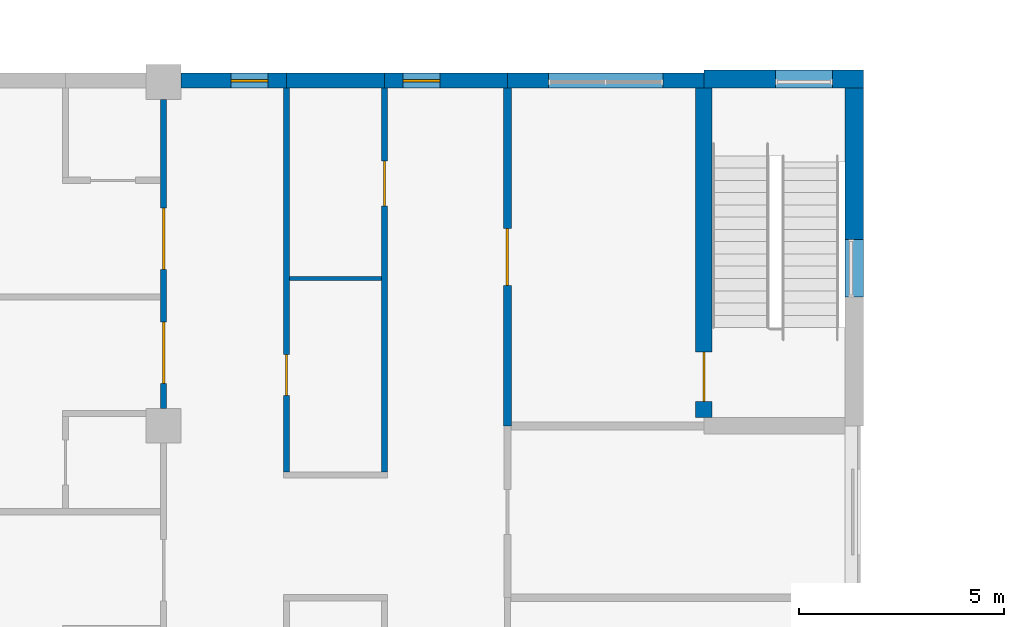
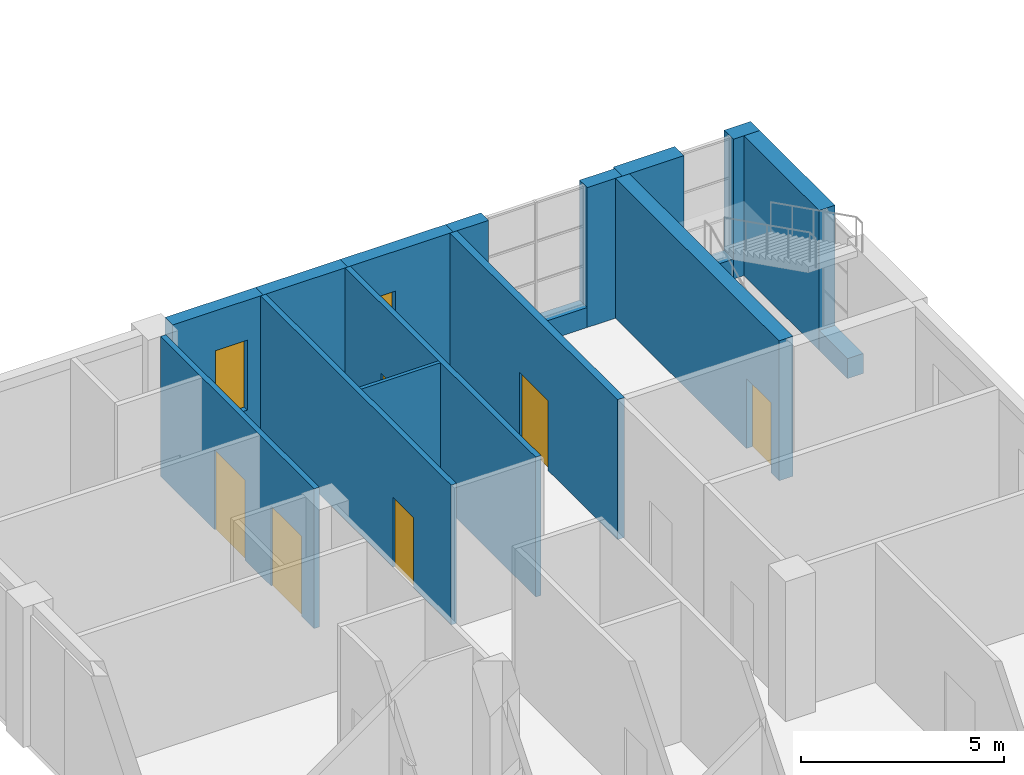
# One storey, part 45 of 66: 17 walls, 6 doors, 2 windows, 8 openings.
"""IFC4 building model written with IfcOpenShell, lengths in metres."""

import ifcopenshell
import ifcopenshell.guid

model = None  # the IFC model being written
_history = None  # IfcOwnerHistory: only IFC2X3 demands one
_inside = {}  # id of a spatial element -> (the spatial element, [elements in it])
_under = {}  # id of a project, library or spatial element -> (it, [spatial elements below it])
_declared = {}  # id of a project -> (the project, [libraries it declares])
_typed = {}  # id of a type object -> (the type object, [elements of that type])
_made_of = {}  # id of a material, layer set ... -> (it, [elements and type objects made of it])


def new_model(schema):
    """Start an empty IFC model of exactly this schema.

    Asked for "IFC4X3", IfcOpenShell would pick the latest addendum, in which some entities
    have other attributes; the version numbers below select the first issue.
    IFC2X3 requires an IfcOwnerHistory on every rooted entity: one is made here for all.
    """
    global model, _history
    if schema == "IFC4X3":
        model = ifcopenshell.file(schema_version=(4, 3, 0, 0))
    else:
        model = ifcopenshell.file(schema=schema)
    _inside.clear()
    _under.clear()
    _declared.clear()
    _typed.clear()
    _made_of.clear()
    _history = None
    if model.schema == "IFC2X3":
        org = make("IfcOrganization", Name="unknown")
        user = make(
            "IfcPersonAndOrganization",
            ThePerson=make("IfcPerson", FamilyName="unknown"),
            TheOrganization=org,
        )
        app = make(
            "IfcApplication",
            ApplicationDeveloper=org,
            Version="unknown",
            ApplicationFullName="unknown",
            ApplicationIdentifier="unknown",
        )
        _history = make(
            "IfcOwnerHistory",
            OwningUser=user,
            OwningApplication=app,
            ChangeAction="ADDED",
            CreationDate=0,
        )
    return model


def make(cls, **values):
    """One entity of the class cls with the attributes given. An attribute that is None is left unset."""
    return model.create_entity(
        cls, **{name: value for name, value in values.items() if value is not None}
    )


def rooted(cls, **values):
    """An entity with a GlobalId (a new one), such as an element, a storey or a relation."""
    return make(cls, GlobalId=ifcopenshell.guid.new(), OwnerHistory=_history, **values)


def si_unit(unit_type, name, prefix=None):
    """IfcSIUnit, for example si_unit("LENGTHUNIT", "METRE", prefix="MILLI")."""
    return make("IfcSIUnit", UnitType=unit_type, Prefix=prefix, Name=name)


def assignment(units):
    """IfcUnitAssignment: the units of a project."""
    return None if units is None else make("IfcUnitAssignment", Units=units)


def point(xyz):
    """IfcCartesianPoint."""
    return None if xyz is None else make("IfcCartesianPoint", Coordinates=xyz)


def direction(xyz):
    """IfcDirection."""
    return None if xyz is None else make("IfcDirection", DirectionRatios=xyz)


def frame(location, z_axis=None, x_axis=None):
    """IfcAxis2Placement3D, a coordinate frame: its origin and axes. An axis left out is left unset."""
    return make(
        "IfcAxis2Placement3D",
        Location=point(location),
        Axis=direction(z_axis),
        RefDirection=direction(x_axis),
    )


def frame_2d(location, x_axis=None):
    """IfcAxis2Placement2D, a coordinate frame in the plane: its origin and x axis."""
    return make(
        "IfcAxis2Placement2D", Location=point(location), RefDirection=direction(x_axis)
    )


def origin():
    """The frame at (0, 0, 0) with its axes left unset."""
    return frame((0.0, 0.0, 0.0))


def place(relative_to, where):
    """IfcLocalPlacement: puts the frame where relative to a parent placement (None: the world)."""
    return make(
        "IfcLocalPlacement", PlacementRelTo=relative_to, RelativePlacement=where
    )


def context(
    kind, dimensions, precision=None, world=None, true_north=None, identifier=None
):
    """IfcGeometricRepresentationContext, for example the 3D "Model" context."""
    return make(
        "IfcGeometricRepresentationContext",
        ContextIdentifier=identifier,
        ContextType=kind,
        CoordinateSpaceDimension=dimensions,
        Precision=precision,
        WorldCoordinateSystem=world,
        TrueNorth=true_north,
    )


def subcontext(parent, identifier, kind, view, scale=None):
    """IfcGeometricRepresentationSubContext, for example "Body" below "Model"."""
    return make(
        "IfcGeometricRepresentationSubContext",
        ContextIdentifier=identifier,
        ContextType=kind,
        ParentContext=parent,
        TargetScale=scale,
        TargetView=view,
    )


def project(units=None, contexts=None):
    """IfcProject with its units and contexts."""
    return rooted(
        "IfcProject",
        Name="project",
        RepresentationContexts=contexts,
        UnitsInContext=assignment(units),
    )


def spatial(cls, under=None, at=None, **own):
    """A site, building, storey or space (cls), placed at a placement, below another one or the project."""
    s = rooted(cls, ObjectPlacement=at, **own)
    if under is not None:
        _under.setdefault(under.id(), (under, []))[1].append(s)
    return s


def profile(cls, at=None, kind="AREA", **sizes):
    """A parametric profile (cls). Its sizes go by their IFC names, for example OverallWidth=200.0."""
    return make(cls, ProfileType=kind, Position=at, **sizes)


def rectangle(**sizes):
    """IfcRectangleProfileDef."""
    return profile("IfcRectangleProfileDef", **sizes)


def extrude(swept, where, along, depth):
    """IfcExtrudedAreaSolid: the profile swept, set in the frame where, extruded along a direction by depth."""
    return make(
        "IfcExtrudedAreaSolid",
        SweptArea=swept,
        Position=where,
        ExtrudedDirection=direction(along),
        Depth=depth,
    )


def shape(context_of_items, identifier, shape_type, items):
    """IfcShapeRepresentation: the items that make up one representation, for example the "Body"."""
    return make(
        "IfcShapeRepresentation",
        ContextOfItems=context_of_items,
        RepresentationIdentifier=identifier,
        RepresentationType=shape_type,
        Items=items,
    )


def material(Name=None, Category=None):
    """IfcMaterial."""
    return make("IfcMaterial", Name=Name, Category=Category)


def layer(
    of_material, thickness, ventilated=None, Name=None, Category=None, Priority=None
):
    """IfcMaterialLayer: one layer of a wall or slab, of a material (None: an air gap)."""
    return make(
        "IfcMaterialLayer",
        Material=of_material,
        LayerThickness=thickness,
        IsVentilated=ventilated,
        Name=Name,
        Category=Category,
        Priority=Priority,
    )


def layer_set(layers, Name=None):
    """IfcMaterialLayerSet."""
    return make("IfcMaterialLayerSet", MaterialLayers=layers, LayerSetName=Name)


def made_of(thing, what):
    """Note that an element or type object is made of a material, layer set ...; save() writes the relation."""
    if what is not None:
        _made_of.setdefault(what.id(), (what, []))[1].append(thing)
    return thing


def type_object(cls, material=None, **own):
    """A type object (cls), such as IfcWallType, which elements share."""
    return made_of(rooted(cls, **own), material)


def element(
    cls,
    number,
    at=None,
    inside=None,
    cuts=None,
    type_object=None,
    material=None,
    context=None,
    identifier="Body",
    shape_type=None,
    held_by="IfcProductDefinitionShape",
    body=None,
    shapes=None,
    **own,
):
    """One element of the class cls, such as IfcWall. Its Tag is "e" and its number.

    at: its placement. inside: the storey or other place that contains it. cuts: it is an
    opening in that element (IfcRelVoidsElement). A single representation is given by context,
    identifier, shape_type and body (its items); several are given by shapes. held_by: the class
    of the entity that holds the representations. save() writes the other relations.
    """
    e = rooted(cls, Tag="e%d" % number, ObjectPlacement=at, **own)
    if body is not None:
        shapes = [shape(context, identifier, shape_type, body)]
    if shapes is not None:
        e.Representation = make(held_by, Representations=shapes)
    if inside is not None:
        _inside.setdefault(inside.id(), (inside, []))[1].append(e)
    if cuts is not None:
        rooted(
            "IfcRelVoidsElement", RelatingBuildingElement=cuts, RelatedOpeningElement=e
        )
    if type_object is not None:
        _typed.setdefault(type_object.id(), (type_object, []))[1].append(e)
    return made_of(e, material)


def fill(opening, filler):
    """IfcRelFillsElement: the door or window that sits in an opening."""
    return rooted(
        "IfcRelFillsElement",
        RelatingOpeningElement=opening,
        RelatedBuildingElement=filler,
    )


def aggregate(whole, parts):
    """IfcRelAggregates: a whole, such as a stair, and the parts it consists of."""
    return rooted("IfcRelAggregates", RelatingObject=whole, RelatedObjects=parts)


def save(model, path):
    """Write the relations noted so far, then the file.

    IfcRelAggregates (storeys below a building ...), IfcRelContainedInSpatialStructure (elements
    in a storey), IfcRelDefinesByType, IfcRelAssociatesMaterial and IfcRelDeclares: one each for
    every whole, place, type object, material and project.
    """
    for whole, parts in _under.values():
        aggregate(whole, parts)
    for where, things in _inside.values():
        rooted(
            "IfcRelContainedInSpatialStructure",
            RelatedElements=things,
            RelatingStructure=where,
        )
    for kind, things in _typed.values():
        rooted("IfcRelDefinesByType", RelatedObjects=things, RelatingType=kind)
    for what, things in _made_of.values():
        rooted("IfcRelAssociatesMaterial", RelatedObjects=things, RelatingMaterial=what)
    for by, libraries in _declared.values():
        rooted("IfcRelDeclares", RelatingContext=by, RelatedDefinitions=libraries)
    model.write(path)


model = new_model("IFC4")

# Units and contexts
model_context = context("Model", 3, precision=1e-05, world=origin(), true_north=direction((0.0, 1.0)))
body_context = subcontext(model_context, "Body", "Model", "MODEL_VIEW")
ifc_project = project(units=[si_unit("LENGTHUNIT", "METRE"), si_unit("AREAUNIT", "SQUARE_METRE"), si_unit("VOLUMEUNIT", "CUBIC_METRE"), si_unit("PLANEANGLEUNIT", "RADIAN"), si_unit("MASSUNIT", "GRAM", prefix="KILO")], contexts=[model_context])

# Site, building, storey
site_placement = place(None, origin())
site = spatial("IfcSite", under=ifc_project, at=site_placement, CompositionType="ELEMENT")
building_placement = place(site_placement, origin())
building = spatial("IfcBuilding", under=site, at=building_placement, Name="Yavir Park General Hospital", CompositionType="ELEMENT")
storey_placement = place(building_placement, frame((0.0, 0.0, 8.39990234375)))
storey = spatial("IfcBuildingStorey", under=building, at=storey_placement, Name="L02", CompositionType="ELEMENT", Elevation=8.39990234375)

# Wall, opening, door
ifc_material_1 = material(Name="Double gypsum board fire partition on steel studs", Category="steel")
ifc_layer_1 = layer(ifc_material_1, 0.199951171875)
ifc_layer_set_1 = layer_set([ifc_layer_1], Name="Double gypsum board fire partition on steel studs")
wall_type_1 = type_object("IfcWallType", Name="Fire-rated partition 200, EI 60", PredefinedType="PARTITIONING", material=ifc_layer_set_1)
wall_1_placement = place(storey_placement, frame((16.800048828125, 109.199951171875, 0.0), z_axis=(0.0, 0.0, 1.0), x_axis=(0.0, 1.0, 0.0)))
wall_1 = element("IfcWall", 1, at=wall_1_placement, inside=storey, type_object=wall_type_1, Name="FP20 L02-206", PredefinedType="PARTITIONING", context=body_context, shape_type="SweptSolid", body=[
    extrude(rectangle(XDim=8.25, YDim=0.199951171875, at=frame_2d((4.125, 0.0))), origin(), (0.0, 0.0, 1.0), 4.2001953125),
])
opening_1_placement = place(wall_1_placement, frame((3.425048828125, 0.0, 0.0)))
opening_1 = element("IfcOpeningElement", 2, at=opening_1_placement, cuts=wall_1, Name="Opening L02.D166", PredefinedType="OPENING", context=body_context, shape_type="SweptSolid", body=[
    extrude(rectangle(XDim=1.39990234375, YDim=2.10009765625, at=frame_2d((0.699951171875, 1.050048828125))), frame((0.0, 0.10986328125, 0.0), z_axis=(0.0, -1.0, 0.0), x_axis=(1.0, 0.0, 0.0)), (0.0, 0.0, 1.0), 0.219970703125),
])
ifc_material_2 = material(Name="Steel frame, fire-resisting leaves with vision panels", Category="steel")
door_type_1 = type_object("IfcDoorType", Name="Double fire door with vision panels 1400 x 2100, EI 60", OperationType="DOUBLE_DOOR_SINGLE_SWING", PredefinedType="DOOR", material=ifc_material_2)
door_1_placement = place(opening_1_placement, origin())
door_1 = element("IfcDoor", 3, at=door_1_placement, inside=storey, type_object=door_type_1, Name="L02.D166", OperationType="SINGLE_SWING_LEFT", OverallHeight=2.10009765625, OverallWidth=1.39990234375, PredefinedType="DOOR", context=body_context, shape_type="SweptSolid", body=[
    extrude(rectangle(XDim=1.39990234375, YDim=2.10009765625, at=frame_2d((0.699951171875, 1.050048828125))), frame((0.0, 0.030029296875, 0.0), z_axis=(0.0, -1.0, 0.0), x_axis=(1.0, 0.0, 0.0)), (0.0, 0.0, 1.0), 0.06005859375),
])
fill(opening_1, door_1)

# Wall
ifc_material_3 = material(Name="Gypsum board partition on steel studs", Category="steel")
ifc_layer_2 = layer(ifc_material_3, 0.10009765625)
ifc_layer_set_2 = layer_set([ifc_layer_2], Name="Gypsum board partition on steel studs")
wall_type_2 = type_object("IfcWallType", Name="Gypsum board partition 100", PredefinedType="PARTITIONING", material=ifc_layer_set_2)
wall_2_placement = place(storey_placement, frame((11.47509765625, 112.800048828125, 0.0), z_axis=(0.0, 0.0, 1.0), x_axis=(1.0, 0.0, 0.0)))
element("IfcWall", 4, at=wall_2_placement, inside=storey, type_object=wall_type_2, Name="P10 L02-153", PredefinedType="PARTITIONING", context=body_context, shape_type="SweptSolid", body=[
    extrude(rectangle(XDim=2.25, YDim=0.10009765625, at=frame_2d((1.125, 0.0))), origin(), (0.0, 0.0, 1.0), 4.2001953125),
])

# Wall, openings, doors
ifc_material_4 = material(Name="Gypsum board partition on steel studs", Category="steel")
ifc_layer_3 = layer(ifc_material_4, 0.14990234375)
ifc_layer_set_3 = layer_set([ifc_layer_3], Name="Gypsum board partition on steel studs")
wall_type_3 = type_object("IfcWallType", Name="Gypsum board partition 150", PredefinedType="PARTITIONING", material=ifc_layer_set_3)
wall_3_placement = place(storey_placement, frame((8.39990234375, 109.625, 0.0), z_axis=(0.0, 0.0, 1.0), x_axis=(0.0, 1.0, 0.0)))
wall_3 = element("IfcWall", 5, at=wall_3_placement, inside=storey, type_object=wall_type_3, Name="P15 L02-177", PredefinedType="PARTITIONING", context=body_context, shape_type="SweptSolid", body=[
    extrude(rectangle(XDim=7.550048828125, YDim=0.14990234375, at=frame_2d((3.77490234375, 0.0))), origin(), (0.0, 0.0, 1.0), 4.2001953125),
])
opening_2_placement = place(wall_3_placement, frame((0.612548828125, 0.0, 0.0)))
opening_2 = element("IfcOpeningElement", 6, at=opening_2_placement, cuts=wall_3, Name="Opening L02.D129", PredefinedType="OPENING", context=body_context, shape_type="SweptSolid", body=[
    extrude(rectangle(XDim=1.5, YDim=2.39990234375, at=frame_2d((0.75, 1.199951171875))), frame((0.0, 0.0849609375, 0.0), z_axis=(0.0, -1.0, 0.0), x_axis=(1.0, 0.0, 0.0)), (0.0, 0.0, 1.0), 0.169921875),
])
opening_3_placement = place(wall_3_placement, frame((3.39990234375, 0.0, 0.0)))
opening_3 = element("IfcOpeningElement", 7, at=opening_3_placement, cuts=wall_3, Name="Opening L02.D130", PredefinedType="OPENING", context=body_context, shape_type="SweptSolid", body=[
    extrude(rectangle(XDim=1.5, YDim=2.39990234375, at=frame_2d((0.75, 1.199951171875))), frame((0.0, 0.0849609375, 0.0), z_axis=(0.0, -1.0, 0.0), x_axis=(1.0, 0.0, 0.0)), (0.0, 0.0, 1.0), 0.169921875),
])
ifc_material_5 = material(Name="Solid-core timber leaves, push plates, kick plates", Category="wood")
door_type_2 = type_object("IfcDoorType", Name="Bed door, unequal leaves 1500 x 2400", OperationType="DOUBLE_DOOR_SINGLE_SWING", PredefinedType="DOOR", material=ifc_material_5)
door_2_placement = place(opening_2_placement, origin())
door_2 = element("IfcDoor", 8, at=door_2_placement, inside=storey, type_object=door_type_2, Name="L02.D129", OperationType="SINGLE_SWING_LEFT", OverallHeight=2.39990234375, OverallWidth=1.5, PredefinedType="DOOR", context=body_context, shape_type="SweptSolid", body=[
    extrude(rectangle(XDim=1.5, YDim=2.39990234375, at=frame_2d((0.75, 1.199951171875))), frame((0.0, 0.030029296875, 0.0), z_axis=(0.0, -1.0, 0.0), x_axis=(1.0, 0.0, 0.0)), (0.0, 0.0, 1.0), 0.06005859375),
])
fill(opening_2, door_2)
door_3_placement = place(opening_3_placement, origin())
door_3 = element("IfcDoor", 9, at=door_3_placement, inside=storey, type_object=door_type_2, Name="L02.D130", OperationType="SINGLE_SWING_RIGHT", OverallHeight=2.39990234375, OverallWidth=1.5, PredefinedType="DOOR", context=body_context, shape_type="SweptSolid", body=[
    extrude(rectangle(XDim=1.5, YDim=2.39990234375, at=frame_2d((0.75, 1.199951171875))), frame((0.0, 0.030029296875, 0.0), z_axis=(0.0, -1.0, 0.0), x_axis=(1.0, 0.0, 0.0)), (0.0, 0.0, 1.0), 0.06005859375),
])
fill(opening_3, door_3)

# Wall, opening, door
wall_4_placement = place(storey_placement, frame((11.39990234375, 108.074951171875, 0.0), z_axis=(0.0, 0.0, 1.0), x_axis=(0.0, 1.0, 0.0)))
wall_4 = element("IfcWall", 10, at=wall_4_placement, inside=storey, type_object=wall_type_3, Name="P15 L02-184", PredefinedType="PARTITIONING", context=body_context, shape_type="SweptSolid", body=[
    extrude(rectangle(XDim=9.375, YDim=0.14990234375, at=frame_2d((4.6875, 0.0))), origin(), (0.0, 0.0, 1.0), 4.2001953125),
])
opening_4_placement = place(wall_4_placement, frame((1.862548828125, 0.0, 0.0)))
opening_4 = element("IfcOpeningElement", 11, at=opening_4_placement, cuts=wall_4, Name="Opening L02.D141", PredefinedType="OPENING", context=body_context, shape_type="SweptSolid", body=[
    extrude(rectangle(XDim=1.0, YDim=2.10009765625, at=frame_2d((0.5, 1.050048828125))), frame((0.0, 0.0849609375, 0.0), z_axis=(0.0, -1.0, 0.0), x_axis=(1.0, 0.0, 0.0)), (0.0, 0.0, 1.0), 0.169921875),
])
ifc_material_6 = material(Name="Hollow metal frame, solid-core timber leaf", Category="wood")
door_type_3 = type_object("IfcDoorType", Name="Single swing door 1000 x 2100", OperationType="SINGLE_SWING_LEFT", PredefinedType="DOOR", material=ifc_material_6)
door_4_placement = place(opening_4_placement, origin())
door_4 = element("IfcDoor", 12, at=door_4_placement, inside=storey, type_object=door_type_3, Name="L02.D141", OperationType="SINGLE_SWING_RIGHT", OverallHeight=2.10009765625, OverallWidth=1.0, PredefinedType="DOOR", context=body_context, shape_type="SweptSolid", body=[
    extrude(rectangle(XDim=1.0, YDim=2.10009765625, at=frame_2d((0.5, 1.050048828125))), frame((0.0, 0.02490234375, 0.0), z_axis=(0.0, -1.0, 0.0), x_axis=(1.0, 0.0, 0.0)), (0.0, 0.0, 1.0), 0.050048828125),
])
fill(opening_4, door_4)

wall_5_placement = place(storey_placement, frame((13.800048828125, 108.074951171875, 0.0), z_axis=(0.0, 0.0, 1.0), x_axis=(0.0, 1.0, 0.0)))
wall_5 = element("IfcWall", 13, at=wall_5_placement, inside=storey, type_object=wall_type_3, Name="P15 L02-191", PredefinedType="PARTITIONING", context=body_context, shape_type="SweptSolid", body=[
    extrude(rectangle(XDim=9.375, YDim=0.14990234375, at=frame_2d((4.6875, 0.0))), origin(), (0.0, 0.0, 1.0), 4.2001953125),
])
opening_5_placement = place(wall_5_placement, frame((6.5, 0.0, 0.0)))
opening_5 = element("IfcOpeningElement", 14, at=opening_5_placement, cuts=wall_5, Name="Opening L02.D152", PredefinedType="OPENING", context=body_context, shape_type="SweptSolid", body=[
    extrude(rectangle(XDim=1.10009765625, YDim=2.10009765625, at=frame_2d((0.550048828125, 1.050048828125))), frame((0.0, 0.0849609375, 0.0), z_axis=(0.0, -1.0, 0.0), x_axis=(1.0, 0.0, 0.0)), (0.0, 0.0, 1.0), 0.169921875),
])
ifc_material_7 = material(Name="Hollow metal frame, solid-core timber leaf", Category="wood")
door_type_4 = type_object("IfcDoorType", Name="Single swing door 1100 x 2100", OperationType="SINGLE_SWING_LEFT", PredefinedType="DOOR", material=ifc_material_7)
door_5_placement = place(opening_5_placement, origin())
door_5 = element("IfcDoor", 15, at=door_5_placement, inside=storey, type_object=door_type_4, Name="L02.D152", OperationType="SINGLE_SWING_RIGHT", OverallHeight=2.10009765625, OverallWidth=1.10009765625, PredefinedType="DOOR", context=body_context, shape_type="SweptSolid", body=[
    extrude(rectangle(XDim=1.10009765625, YDim=2.10009765625, at=frame_2d((0.550048828125, 1.050048828125))), frame((0.0, 0.02490234375, 0.0), z_axis=(0.0, -1.0, 0.0), x_axis=(1.0, 0.0, 0.0)), (0.0, 0.0, 1.0), 0.050048828125),
])
fill(opening_5, door_5)

# Wall, opening, window
ifc_material_8 = material(Name="Autoclaved aerated block, 150 mm mineral wool and sand-coloured mineral render")
ifc_layer_4 = layer(ifc_material_8, 0.375)
ifc_layer_set_4 = layer_set([ifc_layer_4], Name="Autoclaved aerated block, 150 mm mineral wool and sand-coloured mineral render")
wall_type_4 = type_object("IfcWallType", Name="Mineral render clinical wall 375, E 30", PredefinedType="SOLIDWALL", material=ifc_layer_set_4)
wall_6_placement = place(storey_placement, frame((8.824951171875, 117.637451171875, 0.0), z_axis=(0.0, 0.0, 1.0), x_axis=(1.0, 0.0, 0.0)))
wall_6 = element("IfcWall", 16, at=wall_6_placement, inside=storey, type_object=wall_type_4, Name="XW1 L02-096", PredefinedType="SOLIDWALL", context=body_context, shape_type="SweptSolid", body=[
    extrude(rectangle(XDim=2.574951171875, YDim=0.375, at=frame_2d((1.28759765625, 0.0))), origin(), (0.0, 0.0, 1.0), 4.2001953125),
])
opening_6_placement = place(wall_6_placement, frame((1.22509765625, 0.0, 0.89990234375)))
opening_6 = element("IfcOpeningElement", 17, at=opening_6_placement, cuts=wall_6, Name="Opening WH2", PredefinedType="OPENING", context=body_context, shape_type="SweptSolid", body=[
    extrude(rectangle(XDim=0.89990234375, YDim=2.10009765625, at=frame_2d((0.449951171875, 1.050048828125))), frame((0.0, 0.197509765625, 0.0), z_axis=(0.0, -1.0, 0.0), x_axis=(1.0, 0.0, 0.0)), (0.0, 0.0, 1.0), 0.39501953125),
])
ifc_material_9 = material(Name="Aluminium frame, double glazed unit", Category="aluminium")
window_type = type_object("IfcWindowType", Name="Tall narrow window 900 x 2100", PartitioningType="SINGLE_PANEL", PredefinedType="WINDOW", material=ifc_material_9)
window_1_placement = place(opening_6_placement, origin())
window_1 = element("IfcWindow", 18, at=window_1_placement, inside=storey, type_object=window_type, Name="WH2 L02-047", OverallHeight=2.10009765625, OverallWidth=0.89990234375, PartitioningType="SINGLE_PANEL", PredefinedType="WINDOW", context=body_context, shape_type="SweptSolid", body=[
    extrude(rectangle(XDim=0.89990234375, YDim=2.10009765625, at=frame_2d((0.449951171875, 1.050048828125))), frame((0.0, 0.030029296875, 0.0), z_axis=(0.0, -1.0, 0.0), x_axis=(1.0, 0.0, 0.0)), (0.0, 0.0, 1.0), 0.06005859375),
])
fill(opening_6, window_1)

# Wall
wall_7_placement = place(storey_placement, frame((11.39990234375, 117.637451171875, 0.0), z_axis=(0.0, 0.0, 1.0), x_axis=(1.0, 0.0, 0.0)))
element("IfcWall", 19, at=wall_7_placement, inside=storey, type_object=wall_type_4, Name="XW1 L02-097", PredefinedType="SOLIDWALL", context=body_context, shape_type="SweptSolid", body=[
    extrude(rectangle(XDim=2.400146484375, YDim=0.375, at=frame_2d((1.2001953125, 0.0))), origin(), (0.0, 0.0, 1.0), 4.2001953125),
])

# Wall, opening, window
wall_8_placement = place(storey_placement, frame((13.800048828125, 117.637451171875, 0.0), z_axis=(0.0, 0.0, 1.0), x_axis=(1.0, 0.0, 0.0)))
wall_8 = element("IfcWall", 20, at=wall_8_placement, inside=storey, type_object=wall_type_4, Name="XW1 L02-098", PredefinedType="SOLIDWALL", context=body_context, shape_type="SweptSolid", body=[
    extrude(rectangle(XDim=3.0, YDim=0.375, at=frame_2d((1.5, 0.0))), origin(), (0.0, 0.0, 1.0), 4.2001953125),
])
opening_7_placement = place(wall_8_placement, frame((0.449951171875, 0.0, 0.89990234375)))
opening_7 = element("IfcOpeningElement", 21, at=opening_7_placement, cuts=wall_8, Name="Opening WH2", PredefinedType="OPENING", context=body_context, shape_type="SweptSolid", body=[
    extrude(rectangle(XDim=0.89990234375, YDim=2.10009765625, at=frame_2d((0.449951171875, 1.050048828125))), frame((0.0, 0.197509765625, 0.0), z_axis=(0.0, -1.0, 0.0), x_axis=(1.0, 0.0, 0.0)), (0.0, 0.0, 1.0), 0.39501953125),
])
window_2_placement = place(opening_7_placement, origin())
window_2 = element("IfcWindow", 22, at=window_2_placement, inside=storey, type_object=window_type, Name="WH2 L02-048", OverallHeight=2.10009765625, OverallWidth=0.89990234375, PartitioningType="SINGLE_PANEL", PredefinedType="WINDOW", context=body_context, shape_type="SweptSolid", body=[
    extrude(rectangle(XDim=0.89990234375, YDim=2.10009765625, at=frame_2d((0.449951171875, 1.050048828125))), frame((0.0, 0.030029296875, 0.0), z_axis=(0.0, -1.0, 0.0), x_axis=(1.0, 0.0, 0.0)), (0.0, 0.0, 1.0), 0.06005859375),
])
fill(opening_7, window_2)

# Walls
for number, where, z_axis, x_axis, name in (
    (23, (16.800048828125, 117.637451171875, 0.0), (0.0, 0.0, 1.0), (1.0, 0.0, 0.0), "XW1 L02-099"),
    (24, (20.60009765625, 117.637451171875, 0.0), (0.0, 0.0, 1.0), (1.0, 0.0, 0.0), "XW1 L02-100"),
):
    element("IfcWall", number, at=place(storey_placement, frame(where, z_axis=z_axis, x_axis=x_axis)), inside=storey, type_object=wall_type_4, Name=name, PredefinedType="SOLIDWALL", context=body_context, shape_type="SweptSolid", body=[
        extrude(rectangle(XDim=1.0, YDim=0.375, at=frame_2d((0.5, 0.0))), origin(), (0.0, 0.0, 1.0), 4.2001953125),
    ])
wall_9_placement = place(storey_placement, frame((17.800048828125, 117.637451171875, 0.0), z_axis=(0.0, 0.0, 1.0), x_axis=(1.0, 0.0, 0.0)))
element("IfcWall", 25, at=wall_9_placement, inside=storey, type_object=wall_type_4, Name="XW1 L02-101", PredefinedType="SOLIDWALL", context=body_context, shape_type="SweptSolid", body=[
    extrude(rectangle(XDim=2.800048828125, YDim=0.375, at=frame_2d((1.39990234375, 0.0))), origin(), (0.0, 0.0, 1.0), 0.60009765625),
])

# Wall, opening, door
ifc_material_10 = material(Name="Concrete C35/45", Category="concrete")
ifc_layer_5 = layer(ifc_material_10, 0.39990234375)
ifc_layer_set_5 = layer_set([ifc_layer_5], Name="Concrete C35/45")
wall_type_5 = type_object("IfcWallType", Name="Reinforced concrete core wall 400, REI 150", PredefinedType="SHEAR", material=ifc_layer_set_5)
wall_10_placement = place(storey_placement, frame((21.60009765625, 109.39990234375, 0.0), z_axis=(0.0, 0.0, 1.0), x_axis=(0.0, 1.0, 0.0)))
wall_10 = element("IfcWall", 26, at=wall_10_placement, inside=storey, type_object=wall_type_5, Name="CW40 L02-215", PredefinedType="SHEAR", context=body_context, shape_type="SweptSolid", body=[
    extrude(rectangle(XDim=8.050048828125, YDim=0.39990234375, at=frame_2d((4.02490234375, 0.0))), origin(), (0.0, 0.0, 1.0), 4.2001953125),
])
opening_8_placement = place(wall_10_placement, frame((0.39990234375, 0.0, 0.0)))
opening_8 = element("IfcOpeningElement", 27, at=opening_8_placement, cuts=wall_10, Name="Opening L02.D174", PredefinedType="OPENING", context=body_context, shape_type="SweptSolid", body=[
    extrude(rectangle(XDim=1.199951171875, YDim=2.10009765625, at=frame_2d((0.60009765625, 1.050048828125))), frame((0.0, 0.2099609375, 0.0), z_axis=(0.0, -1.0, 0.0), x_axis=(1.0, 0.0, 0.0)), (0.0, 0.0, 1.0), 0.419921875),
])
ifc_material_11 = material(Name="Steel frame, fire-resisting timber leaf", Category="steel")
door_type_5 = type_object("IfcDoorType", Name="Fire door 1200 x 2100, EI 60", OperationType="SINGLE_SWING_LEFT", PredefinedType="DOOR", material=ifc_material_11)
door_6_placement = place(opening_8_placement, origin())
door_6 = element("IfcDoor", 28, at=door_6_placement, inside=storey, type_object=door_type_5, Name="L02.D174", OperationType="SINGLE_SWING_LEFT", OverallHeight=2.10009765625, OverallWidth=1.199951171875, PredefinedType="DOOR", context=body_context, shape_type="SweptSolid", body=[
    extrude(rectangle(XDim=1.199951171875, YDim=2.10009765625, at=frame_2d((0.60009765625, 1.050048828125))), frame((0.0, 0.02490234375, 0.0), z_axis=(0.0, -1.0, 0.0), x_axis=(1.0, 0.0, 0.0)), (0.0, 0.0, 1.0), 0.050048828125),
])
fill(opening_8, door_6)

# Walls
ifc_material_12 = material(Name="Concrete C30/37 precast panel with 150 mm mineral wool insulation", Category="concrete")
ifc_layer_6 = layer(ifc_material_12, 0.449951171875)
ifc_layer_set_6 = layer_set([ifc_layer_6], Name="Concrete C30/37 precast panel with 150 mm mineral wool insulation")
wall_type_6 = type_object("IfcWallType", Name="Stair enclosure wall 450, REI 150", PredefinedType="SOLIDWALL", material=ifc_layer_set_6)
wall_11_placement = place(storey_placement, frame((21.60009765625, 117.675048828125, 0.0), z_axis=(0.0, 0.0, 1.0), x_axis=(1.0, 0.0, 0.0)))
element("IfcWall", 29, at=wall_11_placement, inside=storey, type_object=wall_type_6, Name="XW6 L02-102", PredefinedType="SOLIDWALL", context=body_context, shape_type="SweptSolid", body=[
    extrude(rectangle(XDim=1.75, YDim=0.449951171875, at=frame_2d((0.875, 0.0))), origin(), (0.0, 0.0, 1.0), 4.2001953125),
])
wall_12_placement = place(storey_placement, frame((24.75, 117.675048828125, 0.0), z_axis=(0.0, 0.0, 1.0), x_axis=(1.0, 0.0, 0.0)))
element("IfcWall", 30, at=wall_12_placement, inside=storey, type_object=wall_type_6, Name="XW6 L02-103", PredefinedType="SOLIDWALL", context=body_context, shape_type="SweptSolid", body=[
    extrude(rectangle(XDim=0.75, YDim=0.449951171875, at=frame_2d((0.375, 0.0))), origin(), (0.0, 0.0, 1.0), 4.2001953125),
])
wall_13_placement = place(storey_placement, frame((23.35009765625, 117.675048828125, 0.0), z_axis=(0.0, 0.0, 1.0), x_axis=(1.0, 0.0, 0.0)))
element("IfcWall", 31, at=wall_13_placement, inside=storey, type_object=wall_type_6, Name="XW6 L02-104", PredefinedType="SOLIDWALL", context=body_context, shape_type="SweptSolid", body=[
    extrude(rectangle(XDim=1.39990234375, YDim=0.449951171875, at=frame_2d((0.699951171875, 0.0))), origin(), (0.0, 0.0, 1.0), 0.60009765625),
])
wall_14_placement = place(storey_placement, frame((25.27490234375, 113.75, 0.0), z_axis=(0.0, 0.0, 1.0), x_axis=(0.0, 1.0, 0.0)))
element("IfcWall", 32, at=wall_14_placement, inside=storey, type_object=wall_type_6, Name="XW6 L02-154", PredefinedType="SOLIDWALL", context=body_context, shape_type="SweptSolid", body=[
    extrude(rectangle(XDim=3.699951171875, YDim=0.449951171875, at=frame_2d((1.85009765625, 0.0))), origin(), (0.0, 0.0, 1.0), 4.2001953125),
])
wall_15_placement = place(storey_placement, frame((25.27490234375, 112.35009765625, 0.0), z_axis=(0.0, 0.0, 1.0), x_axis=(0.0, 1.0, 0.0)))
element("IfcWall", 33, at=wall_15_placement, inside=storey, type_object=wall_type_6, Name="XW6 L02-155", PredefinedType="SOLIDWALL", context=body_context, shape_type="SweptSolid", body=[
    extrude(rectangle(XDim=1.39990234375, YDim=0.449951171875, at=frame_2d((0.699951171875, 0.0))), origin(), (0.0, 0.0, 1.0), 0.60009765625),
])

save(model, "model.ifc")
